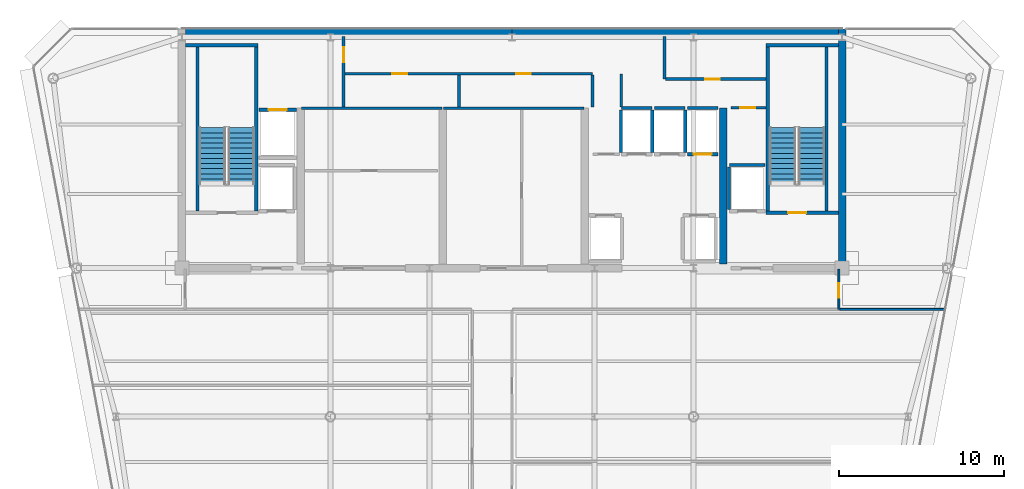
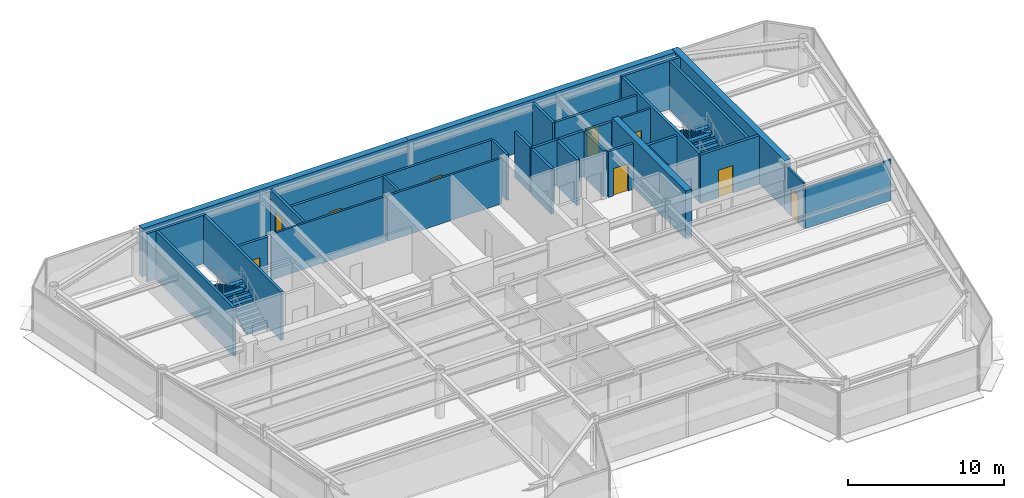
# One storey, part 12 of 19: 33 walls, 9 doors, 4 stair flights, 9 openings, 2 elements without a shape of their own.
"""IFC4 building model written with IfcOpenShell, lengths in metres."""

import ifcopenshell
import ifcopenshell.guid

model = None  # the IFC model being written
_history = None  # IfcOwnerHistory: only IFC2X3 demands one
_inside = {}  # id of a spatial element -> (the spatial element, [elements in it])
_under = {}  # id of a project, library or spatial element -> (it, [spatial elements below it])
_declared = {}  # id of a project -> (the project, [libraries it declares])
_typed = {}  # id of a type object -> (the type object, [elements of that type])
_made_of = {}  # id of a material, layer set ... -> (it, [elements and type objects made of it])


def new_model(schema):
    """Start an empty IFC model of exactly this schema.

    Asked for "IFC4X3", IfcOpenShell would pick the latest addendum, in which some entities
    have other attributes; the version numbers below select the first issue.
    IFC2X3 requires an IfcOwnerHistory on every rooted entity: one is made here for all.
    """
    global model, _history
    if schema == "IFC4X3":
        model = ifcopenshell.file(schema_version=(4, 3, 0, 0))
    else:
        model = ifcopenshell.file(schema=schema)
    _inside.clear()
    _under.clear()
    _declared.clear()
    _typed.clear()
    _made_of.clear()
    _history = None
    if model.schema == "IFC2X3":
        org = make("IfcOrganization", Name="unknown")
        user = make(
            "IfcPersonAndOrganization",
            ThePerson=make("IfcPerson", FamilyName="unknown"),
            TheOrganization=org,
        )
        app = make(
            "IfcApplication",
            ApplicationDeveloper=org,
            Version="unknown",
            ApplicationFullName="unknown",
            ApplicationIdentifier="unknown",
        )
        _history = make(
            "IfcOwnerHistory",
            OwningUser=user,
            OwningApplication=app,
            ChangeAction="ADDED",
            CreationDate=0,
        )
    return model


def make(cls, **values):
    """One entity of the class cls with the attributes given. An attribute that is None is left unset."""
    return model.create_entity(
        cls, **{name: value for name, value in values.items() if value is not None}
    )


def rooted(cls, **values):
    """An entity with a GlobalId (a new one), such as an element, a storey or a relation."""
    return make(cls, GlobalId=ifcopenshell.guid.new(), OwnerHistory=_history, **values)


def si_unit(unit_type, name, prefix=None):
    """IfcSIUnit, for example si_unit("LENGTHUNIT", "METRE", prefix="MILLI")."""
    return make("IfcSIUnit", UnitType=unit_type, Prefix=prefix, Name=name)


def assignment(units):
    """IfcUnitAssignment: the units of a project."""
    return None if units is None else make("IfcUnitAssignment", Units=units)


def point(xyz):
    """IfcCartesianPoint."""
    return None if xyz is None else make("IfcCartesianPoint", Coordinates=xyz)


def direction(xyz):
    """IfcDirection."""
    return None if xyz is None else make("IfcDirection", DirectionRatios=xyz)


def frame(location, z_axis=None, x_axis=None):
    """IfcAxis2Placement3D, a coordinate frame: its origin and axes. An axis left out is left unset."""
    return make(
        "IfcAxis2Placement3D",
        Location=point(location),
        Axis=direction(z_axis),
        RefDirection=direction(x_axis),
    )


def frame_2d(location, x_axis=None):
    """IfcAxis2Placement2D, a coordinate frame in the plane: its origin and x axis."""
    return make(
        "IfcAxis2Placement2D", Location=point(location), RefDirection=direction(x_axis)
    )


def origin():
    """The frame at (0, 0, 0) with its axes left unset."""
    return frame((0.0, 0.0, 0.0))


def place(relative_to, where):
    """IfcLocalPlacement: puts the frame where relative to a parent placement (None: the world)."""
    return make(
        "IfcLocalPlacement", PlacementRelTo=relative_to, RelativePlacement=where
    )


def context(
    kind, dimensions, precision=None, world=None, true_north=None, identifier=None
):
    """IfcGeometricRepresentationContext, for example the 3D "Model" context."""
    return make(
        "IfcGeometricRepresentationContext",
        ContextIdentifier=identifier,
        ContextType=kind,
        CoordinateSpaceDimension=dimensions,
        Precision=precision,
        WorldCoordinateSystem=world,
        TrueNorth=true_north,
    )


def subcontext(parent, identifier, kind, view, scale=None):
    """IfcGeometricRepresentationSubContext, for example "Body" below "Model"."""
    return make(
        "IfcGeometricRepresentationSubContext",
        ContextIdentifier=identifier,
        ContextType=kind,
        ParentContext=parent,
        TargetScale=scale,
        TargetView=view,
    )


def project(units=None, contexts=None):
    """IfcProject with its units and contexts."""
    return rooted(
        "IfcProject",
        Name="project",
        RepresentationContexts=contexts,
        UnitsInContext=assignment(units),
    )


def spatial(cls, under=None, at=None, **own):
    """A site, building, storey or space (cls), placed at a placement, below another one or the project."""
    s = rooted(cls, ObjectPlacement=at, **own)
    if under is not None:
        _under.setdefault(under.id(), (under, []))[1].append(s)
    return s


def polyline(points):
    """IfcPolyline through the points."""
    return make("IfcPolyline", Points=[point(p) for p in points])


def profile(cls, at=None, kind="AREA", **sizes):
    """A parametric profile (cls). Its sizes go by their IFC names, for example OverallWidth=200.0."""
    return make(cls, ProfileType=kind, Position=at, **sizes)


def rectangle(**sizes):
    """IfcRectangleProfileDef."""
    return profile("IfcRectangleProfileDef", **sizes)


def outline(outer, holes=None, kind="AREA"):
    """IfcArbitraryClosedProfileDef: a profile drawn as a closed curve; with holes, ...WithVoids."""
    if holes is None:
        return make("IfcArbitraryClosedProfileDef", ProfileType=kind, OuterCurve=outer)
    return make(
        "IfcArbitraryProfileDefWithVoids",
        ProfileType=kind,
        OuterCurve=outer,
        InnerCurves=holes,
    )


def extrude(swept, where, along, depth):
    """IfcExtrudedAreaSolid: the profile swept, set in the frame where, extruded along a direction by depth."""
    return make(
        "IfcExtrudedAreaSolid",
        SweptArea=swept,
        Position=where,
        ExtrudedDirection=direction(along),
        Depth=depth,
    )


def shape(context_of_items, identifier, shape_type, items):
    """IfcShapeRepresentation: the items that make up one representation, for example the "Body"."""
    return make(
        "IfcShapeRepresentation",
        ContextOfItems=context_of_items,
        RepresentationIdentifier=identifier,
        RepresentationType=shape_type,
        Items=items,
    )


def source(mapping_origin, context_of_items, identifier, shape_type, items):
    """IfcRepresentationMap: a shape defined once, which mapped items show again and again."""
    return make(
        "IfcRepresentationMap",
        MappingOrigin=mapping_origin,
        MappedRepresentation=shape(context_of_items, identifier, shape_type, items),
    )


def transform(
    local_origin,
    x_axis=None,
    y_axis=None,
    z_axis=None,
    scale=None,
    scale2=None,
    scale3=None,
    uniform=True,
):
    """IfcCartesianTransformationOperator3D, or its non-uniform kind. x_axis, y_axis, z_axis: its Axis1, 2, 3."""
    if uniform:
        return make(
            "IfcCartesianTransformationOperator3D",
            Axis1=direction(x_axis),
            Axis2=direction(y_axis),
            LocalOrigin=point(local_origin),
            Scale=scale,
            Axis3=direction(z_axis),
        )
    return make(
        "IfcCartesianTransformationOperator3DnonUniform",
        Axis1=direction(x_axis),
        Axis2=direction(y_axis),
        LocalOrigin=point(local_origin),
        Scale=scale,
        Axis3=direction(z_axis),
        Scale2=scale2,
        Scale3=scale3,
    )


def mapped(mapping_source, mapping_target):
    """IfcMappedItem: shows the shape of a source again, moved by a transform."""
    return make(
        "IfcMappedItem", MappingSource=mapping_source, MappingTarget=mapping_target
    )


def material(Name=None, Category=None):
    """IfcMaterial."""
    return make("IfcMaterial", Name=Name, Category=Category)


def layer(
    of_material, thickness, ventilated=None, Name=None, Category=None, Priority=None
):
    """IfcMaterialLayer: one layer of a wall or slab, of a material (None: an air gap)."""
    return make(
        "IfcMaterialLayer",
        Material=of_material,
        LayerThickness=thickness,
        IsVentilated=ventilated,
        Name=Name,
        Category=Category,
        Priority=Priority,
    )


def layer_set(layers, Name=None):
    """IfcMaterialLayerSet."""
    return make("IfcMaterialLayerSet", MaterialLayers=layers, LayerSetName=Name)


def made_of(thing, what):
    """Note that an element or type object is made of a material, layer set ...; save() writes the relation."""
    if what is not None:
        _made_of.setdefault(what.id(), (what, []))[1].append(thing)
    return thing


def type_object(cls, material=None, **own):
    """A type object (cls), such as IfcWallType, which elements share."""
    return made_of(rooted(cls, **own), material)


def element(
    cls,
    number,
    at=None,
    inside=None,
    cuts=None,
    type_object=None,
    material=None,
    context=None,
    identifier="Body",
    shape_type=None,
    held_by="IfcProductDefinitionShape",
    body=None,
    shapes=None,
    **own,
):
    """One element of the class cls, such as IfcWall. Its Tag is "e" and its number.

    at: its placement. inside: the storey or other place that contains it. cuts: it is an
    opening in that element (IfcRelVoidsElement). A single representation is given by context,
    identifier, shape_type and body (its items); several are given by shapes. held_by: the class
    of the entity that holds the representations. save() writes the other relations.
    """
    e = rooted(cls, Tag="e%d" % number, ObjectPlacement=at, **own)
    if body is not None:
        shapes = [shape(context, identifier, shape_type, body)]
    if shapes is not None:
        e.Representation = make(held_by, Representations=shapes)
    if inside is not None:
        _inside.setdefault(inside.id(), (inside, []))[1].append(e)
    if cuts is not None:
        rooted(
            "IfcRelVoidsElement", RelatingBuildingElement=cuts, RelatedOpeningElement=e
        )
    if type_object is not None:
        _typed.setdefault(type_object.id(), (type_object, []))[1].append(e)
    return made_of(e, material)


def fill(opening, filler):
    """IfcRelFillsElement: the door or window that sits in an opening."""
    return rooted(
        "IfcRelFillsElement",
        RelatingOpeningElement=opening,
        RelatedBuildingElement=filler,
    )


def aggregate(whole, parts):
    """IfcRelAggregates: a whole, such as a stair, and the parts it consists of."""
    return rooted("IfcRelAggregates", RelatingObject=whole, RelatedObjects=parts)


def save(model, path):
    """Write the relations noted so far, then the file.

    IfcRelAggregates (storeys below a building ...), IfcRelContainedInSpatialStructure (elements
    in a storey), IfcRelDefinesByType, IfcRelAssociatesMaterial and IfcRelDeclares: one each for
    every whole, place, type object, material and project.
    """
    for whole, parts in _under.values():
        aggregate(whole, parts)
    for where, things in _inside.values():
        rooted(
            "IfcRelContainedInSpatialStructure",
            RelatedElements=things,
            RelatingStructure=where,
        )
    for kind, things in _typed.values():
        rooted("IfcRelDefinesByType", RelatedObjects=things, RelatingType=kind)
    for what, things in _made_of.values():
        rooted("IfcRelAssociatesMaterial", RelatedObjects=things, RelatingMaterial=what)
    for by, libraries in _declared.values():
        rooted("IfcRelDeclares", RelatingContext=by, RelatedDefinitions=libraries)
    model.write(path)


model = new_model("IFC4")

# Units and contexts
model_context = context("Model", 3, precision=1e-05, world=origin(), true_north=direction((0.0, 1.0)))
body_context = subcontext(model_context, "Body", "Model", "MODEL_VIEW")
ifc_project = project(units=[si_unit("LENGTHUNIT", "METRE"), si_unit("AREAUNIT", "SQUARE_METRE"), si_unit("VOLUMEUNIT", "CUBIC_METRE"), si_unit("PLANEANGLEUNIT", "RADIAN"), si_unit("MASSUNIT", "GRAM", prefix="KILO")], contexts=[model_context])

# Site, building, storey
site_placement = place(None, origin())
site = spatial("IfcSite", under=ifc_project, at=site_placement, CompositionType="ELEMENT")
building_placement = place(site_placement, origin())
building = spatial("IfcBuilding", under=site, at=building_placement, Name="Vaeldorn Concourse Tower", CompositionType="ELEMENT")
storey_placement = place(building_placement, frame((0.0, 0.0, 276.39990234375)))
storey = spatial("IfcBuildingStorey", under=building, at=storey_placement, Name="L71", CompositionType="ELEMENT", Elevation=276.39990234375)

# Walls
ifc_material_1 = material(Name="Concrete C50/60", Category="concrete")
ifc_layer_1 = layer(ifc_material_1, 0.449951171875)
ifc_layer_set_1 = layer_set([ifc_layer_1], Name="Concrete C50/60")
wall_type_1 = type_object("IfcWallType", Name="WL-CORE-450", PredefinedType="SHEAR", material=ifc_layer_set_1)
for number, where, z_axis, x_axis, name in (
    (1, (14.22900390625, 50.77490234375, 0.0), (0.0, 0.0, 1.0), (1.0, 0.0, 0.0), "Rear Core Shear Wall L71 N1"),
    (2, (34.001953125, 50.77490234375, 0.0), (0.0, 0.0, 1.0), (1.0, 0.0, 0.0), "Rear Core Shear Wall L71 N2"),
):
    element("IfcWall", number, at=place(storey_placement, frame(where, z_axis=z_axis, x_axis=x_axis)), inside=storey, type_object=wall_type_1, Name=name, PredefinedType="SHEAR", context=body_context, shape_type="SweptSolid", body=[
        extrude(rectangle(XDim=19.76904296875, YDim=0.449951171875, at=frame_2d((9.884521484375, 0.0))), origin(), (0.0, 0.0, 1.0), 3.800048828125),
    ])
wall_1_placement = place(storey_placement, frame((54.0, 36.5, 0.0), z_axis=(0.0, 0.0, 1.0), x_axis=(0.0, 1.0, 0.0)))
element("IfcWall", 3, at=wall_1_placement, inside=storey, type_object=wall_type_1, Name="Rear Core Shear Wall L71 E1", PredefinedType="SHEAR", context=body_context, shape_type="SweptSolid", body=[
    extrude(rectangle(XDim=14.5, YDim=0.449951171875, at=frame_2d((7.25, 0.0))), origin(), (0.0, 0.0, 1.0), 3.800048828125),
])
wall_2_placement = place(storey_placement, frame((46.800048828125, 36.7451171875, 0.0), z_axis=(0.0, 0.0, 1.0), x_axis=(0.0, 1.0, 0.0)))
element("IfcWall", 4, at=wall_2_placement, inside=storey, type_object=wall_type_1, Name="Rear Core Shear Wall L71 M4", PredefinedType="SHEAR", context=body_context, shape_type="SweptSolid", body=[
    extrude(rectangle(XDim=9.454833984375, YDim=0.449951171875, at=frame_2d((4.7275390625, 0.0))), origin(), (0.0, 0.0, 1.0), 3.800048828125),
])

# Wall, opening, door
ifc_material_2 = material(Name="Gypsum Board Partition", Category="gypsum")
ifc_layer_2 = layer(ifc_material_2, 0.1201171875)
ifc_layer_set_2 = layer_set([ifc_layer_2], Name="Gypsum Board Partition")
wall_type_2 = type_object("IfcWallType", Name="WL-PART-120", PredefinedType="PARTITIONING", material=ifc_layer_set_2)
wall_3_placement = place(storey_placement, frame((53.800048828125, 34.0, 0.0), z_axis=(0.0, 0.0, 1.0), x_axis=(0.0, 1.0, 0.0)))
wall_3 = element("IfcWall", 5, at=wall_3_placement, inside=storey, type_object=wall_type_2, Name="Interior Wall PW-L71-C3E", PredefinedType="PARTITIONING", context=body_context, shape_type="SweptSolid", body=[
    extrude(rectangle(XDim=2.43994140625, YDim=0.1201171875, at=frame_2d((1.219970703125, 0.0))), origin(), (0.0, 0.0, 1.0), 3.580078125),
])
opening_1_placement = place(wall_3_placement, frame((0.699951171875, 0.0, 0.0)))
opening_1 = element("IfcOpeningElement", 6, at=opening_1_placement, cuts=wall_3, Name="Opening D-03", PredefinedType="OPENING", context=body_context, shape_type="SweptSolid", body=[
    extrude(rectangle(XDim=0.89990234375, YDim=2.14990234375, at=frame_2d((0.449951171875, 1.074951171875))), frame((0.0, 0.070068359375, 0.0), z_axis=(0.0, -1.0, 0.0), x_axis=(1.0, 0.0, 0.0)), (0.0, 0.0, 1.0), 0.14013671875),
])
ifc_material_3 = material(Name="Acoustic Bronze-Framed Glass Door", Category="glass")
door_type_1 = type_object("IfcDoorType", Name="DR-INT-900", OperationType="NOTDEFINED", PredefinedType="DOOR", material=ifc_material_3)
shared_shape_1 = source(origin(), body_context, "Body", "SweptSolid", [
    extrude(rectangle(XDim=0.89990234375, YDim=2.14990234375, at=frame_2d((0.449951171875, 1.074951171875))), frame((0.0, 0.02490234375, 0.0), z_axis=(0.0, -1.0, 0.0), x_axis=(1.0, 0.0, 0.0)), (0.0, 0.0, 1.0), 0.050048828125),
])
door_1_placement = place(opening_1_placement, origin())
door_1 = element("IfcDoor", 7, at=door_1_placement, inside=storey, type_object=door_type_1, Name="Interior Door DR-L71-Z3NE", OperationType="SINGLE_SWING_RIGHT", OverallHeight=2.14990234375, OverallWidth=0.89990234375, PredefinedType="DOOR", context=body_context, shape_type="MappedRepresentation", body=[
    mapped(shared_shape_1, transform((0.0, 0.0, 0.0), scale=1.0)),
])
fill(opening_1, door_1)

# Walls
wall_4_placement = place(storey_placement, frame((53.860107421875, 34.0, 0.0), z_axis=(0.0, 0.0, 1.0), x_axis=(1.0, 0.0, 0.0)))
element("IfcWall", 8, at=wall_4_placement, inside=storey, type_object=wall_type_2, Name="Interior Wall PW-L71-Z3NEB", PredefinedType="PARTITIONING", context=body_context, shape_type="SweptSolid", body=[
    extrude(rectangle(XDim=6.34423828125, YDim=0.1201171875, at=frame_2d((3.172119140625, 0.0))), origin(), (0.0, 0.0, 1.0), 3.210205078125),
])
ifc_layer_3 = layer(ifc_material_2, 0.14990234375)
ifc_layer_set_3 = layer_set([ifc_layer_3], Name="Gypsum Board Partition")
wall_type_3 = type_object("IfcWallType", Name="WL-PART-150", PredefinedType="PARTITIONING", material=ifc_layer_set_3)
for number, where, z_axis, x_axis, name in (
    (9, (21.25, 46.199951171875, 0.0), (0.0, 0.0, 1.0), (1.0, 0.0, 0.0), "Interior Wall CW-L71-R1N"),
    (10, (29.85009765625, 46.199951171875, 0.0), (0.0, 0.0, 1.0), (1.0, 0.0, 0.0), "Interior Wall CW-L71-R2N"),
):
    element("IfcWall", number, at=place(storey_placement, frame(where, z_axis=z_axis, x_axis=x_axis)), inside=storey, type_object=wall_type_3, Name=name, PredefinedType="PARTITIONING", context=body_context, shape_type="SweptSolid", body=[
        extrude(rectangle(XDim=8.5, YDim=0.14990234375, at=frame_2d((4.25, 0.0))), origin(), (0.0, 0.0, 1.0), 3.580078125),
    ])

# Wall, opening, door
wall_5_placement = place(storey_placement, frame((47.280029296875, 46.219970703125, 0.0), z_axis=(0.0, 0.0, 1.0), x_axis=(1.0, 0.0, 0.0)))
wall_5 = element("IfcWall", 11, at=wall_5_placement, inside=storey, type_object=wall_type_3, Name="Interior Wall CW-L71-CRSE-N", PredefinedType="PARTITIONING", context=body_context, shape_type="SweptSolid", body=[
    extrude(rectangle(XDim=2.099853515625, YDim=0.14990234375, at=frame_2d((1.0498046875, 0.0))), origin(), (0.0, 0.0, 1.0), 3.580078125),
])
opening_2_placement = place(wall_5_placement, frame((0.550048828125, 0.0, 0.0)))
opening_2 = element("IfcOpeningElement", 12, at=opening_2_placement, cuts=wall_5, Name="Opening D-02", PredefinedType="OPENING", context=body_context, shape_type="SweptSolid", body=[
    extrude(rectangle(XDim=0.89990234375, YDim=2.10009765625, at=frame_2d((0.449951171875, 1.050048828125))), frame((0.0, 0.0849609375, 0.0), z_axis=(0.0, -1.0, 0.0), x_axis=(1.0, 0.0, 0.0)), (0.0, 0.0, 1.0), 0.169921875),
])
ifc_material_4 = material(Name="Fire-Rated Timber Leaf", Category="wood")
door_type_2 = type_object("IfcDoorType", Name="DR-FD30-900", OperationType="NOTDEFINED", PredefinedType="DOOR", material=ifc_material_4)
shared_shape_2 = source(origin(), body_context, "Body", "SweptSolid", [
    extrude(rectangle(XDim=0.89990234375, YDim=2.10009765625, at=frame_2d((0.449951171875, 1.050048828125))), frame((0.0, 0.02490234375, 0.0), z_axis=(0.0, -1.0, 0.0), x_axis=(1.0, 0.0, 0.0)), (0.0, 0.0, 1.0), 0.050048828125),
])
door_2_placement = place(opening_2_placement, origin())
door_2 = element("IfcDoor", 13, at=door_2_placement, inside=storey, type_object=door_type_2, Name="Interior Door DR-L71-CRSE", OperationType="SINGLE_SWING_RIGHT", OverallHeight=2.10009765625, OverallWidth=0.89990234375, PredefinedType="DOOR", context=body_context, shape_type="MappedRepresentation", body=[
    mapped(shared_shape_2, transform((0.0, 0.0, 0.0), scale=1.0)),
])
fill(opening_2, door_2)

# Wall, openings, doors
ifc_layer_4 = layer(ifc_material_2, 0.179931640625)
ifc_layer_set_4 = layer_set([ifc_layer_4], Name="Gypsum Board Partition")
wall_type_4 = type_object("IfcWallType", Name="WL-PLUMB-180", PredefinedType="PLUMBINGWALL", material=ifc_layer_set_4)
wall_6_placement = place(storey_placement, frame((23.85009765625, 48.280029296875, 0.0), z_axis=(0.0, 0.0, 1.0), x_axis=(1.0, 0.0, 0.0)))
wall_6 = element("IfcWall", 14, at=wall_6_placement, inside=storey, type_object=wall_type_4, Name="Interior Wall CW-L71-NS2W", PredefinedType="PLUMBINGWALL", context=body_context, shape_type="SweptSolid", body=[
    extrude(rectangle(XDim=15.02978515625, YDim=0.179931640625, at=frame_2d((7.514892578125, 0.0))), origin(), (0.0, 0.0, 1.0), 3.580078125),
])
opening_3_placement = place(wall_6_placement, frame((2.89990234375, 0.0, 0.0)))
opening_3 = element("IfcOpeningElement", 15, at=opening_3_placement, cuts=wall_6, Name="Opening D-03", PredefinedType="OPENING", context=body_context, shape_type="SweptSolid", body=[
    extrude(rectangle(XDim=0.89990234375, YDim=2.14990234375, at=frame_2d((0.449951171875, 1.074951171875))), frame((0.0, 0.10009765625, 0.0), z_axis=(0.0, -1.0, 0.0), x_axis=(1.0, 0.0, 0.0)), (0.0, 0.0, 1.0), 0.199951171875),
])
opening_4_placement = place(wall_6_placement, frame((10.39990234375, 0.0, 0.0)))
opening_4 = element("IfcOpeningElement", 16, at=opening_4_placement, cuts=wall_6, Name="Opening D-03", PredefinedType="OPENING", context=body_context, shape_type="SweptSolid", body=[
    extrude(rectangle(XDim=0.89990234375, YDim=2.14990234375, at=frame_2d((0.449951171875, 1.074951171875))), frame((0.0, 0.10009765625, 0.0), z_axis=(0.0, -1.0, 0.0), x_axis=(1.0, 0.0, 0.0)), (0.0, 0.0, 1.0), 0.199951171875),
])
door_3_placement = place(opening_3_placement, origin())
door_3 = element("IfcDoor", 17, at=door_3_placement, inside=storey, type_object=door_type_1, Name="Interior Door DR-L71-CS2", OperationType="SINGLE_SWING_RIGHT", OverallHeight=2.14990234375, OverallWidth=0.89990234375, PredefinedType="DOOR", context=body_context, shape_type="MappedRepresentation", body=[
    mapped(shared_shape_1, transform((0.0, 0.0, 0.0), scale=1.0)),
])
fill(opening_3, door_3)
door_4_placement = place(opening_4_placement, origin())
door_4 = element("IfcDoor", 18, at=door_4_placement, inside=storey, type_object=door_type_1, Name="Interior Door DR-L71-CS3", OperationType="SINGLE_SWING_LEFT", OverallHeight=2.14990234375, OverallWidth=0.89990234375, PredefinedType="DOOR", context=body_context, shape_type="MappedRepresentation", body=[
    mapped(shared_shape_1, transform((0.0, 0.0, 0.0), scale=1.0)),
])
fill(opening_4, door_4)

# Wall, opening, door
wall_7_placement = place(storey_placement, frame((23.800048828125, 46.280029296875, 0.0), z_axis=(0.0, 0.0, 1.0), x_axis=(0.0, 1.0, 0.0)))
wall_7 = element("IfcWall", 19, at=wall_7_placement, inside=storey, type_object=wall_type_4, Name="Interior Wall CW-L71-SDIV1", PredefinedType="PLUMBINGWALL", context=body_context, shape_type="SweptSolid", body=[
    extrude(rectangle(XDim=4.25, YDim=0.179931640625, at=frame_2d((2.125, 0.0))), origin(), (0.0, 0.0, 1.0), 3.580078125),
])
opening_5_placement = place(wall_7_placement, frame((2.7099609375, 0.0, 0.0)))
opening_5 = element("IfcOpeningElement", 20, at=opening_5_placement, cuts=wall_7, Name="Opening D-03", PredefinedType="OPENING", context=body_context, shape_type="SweptSolid", body=[
    extrude(rectangle(XDim=0.89990234375, YDim=2.14990234375, at=frame_2d((0.449951171875, 1.074951171875))), frame((0.0, 0.10009765625, 0.0), z_axis=(0.0, -1.0, 0.0), x_axis=(1.0, 0.0, 0.0)), (0.0, 0.0, 1.0), 0.199951171875),
])
door_5_placement = place(opening_5_placement, origin())
door_5 = element("IfcDoor", 21, at=door_5_placement, inside=storey, type_object=door_type_1, Name="Interior Door DR-L71-CS1", OperationType="SINGLE_SWING_LEFT", OverallHeight=2.14990234375, OverallWidth=0.89990234375, PredefinedType="DOOR", context=body_context, shape_type="MappedRepresentation", body=[
    mapped(shared_shape_1, transform((0.0, 0.0, 0.0), scale=1.0)),
])
fill(opening_5, door_5)

# Walls
for number, where, z_axis, x_axis, name in (
    (22, (30.800048828125, 46.280029296875, 0.0), (0.0, 0.0, 1.0), (0.0, 1.0, 0.0), "Interior Wall CW-L71-SDIV2"),
    (23, (38.8798828125, 46.280029296875, 0.0), (0.0, 0.0, 1.0), (0.0, 1.0, 0.0), "Interior Wall CW-L71-SDIV4"),
):
    element("IfcWall", number, at=place(storey_placement, frame(where, z_axis=z_axis, x_axis=x_axis)), inside=storey, type_object=wall_type_4, Name=name, PredefinedType="PLUMBINGWALL", context=body_context, shape_type="SweptSolid", body=[
        extrude(rectangle(XDim=1.93994140625, YDim=0.179931640625, at=frame_2d((0.969970703125, 0.0))), origin(), (0.0, 0.0, 1.0), 3.580078125),
    ])
wall_8_placement = place(storey_placement, frame((40.6201171875, 46.280029296875, 0.0), z_axis=(0.0, 0.0, 1.0), x_axis=(0.0, 1.0, 0.0)))
element("IfcWall", 24, at=wall_8_placement, inside=storey, type_object=wall_type_4, Name="Interior Wall CW-L71-SDIV5", PredefinedType="PLUMBINGWALL", context=body_context, shape_type="SweptSolid", body=[
    extrude(rectangle(XDim=2.0, YDim=0.179931640625, at=frame_2d((1.0, 0.0))), origin(), (0.0, 0.0, 1.0), 3.580078125),
])
wall_9_placement = place(storey_placement, frame((43.25, 47.949951171875, 0.0), z_axis=(0.0, 0.0, 1.0), x_axis=(0.0, 1.0, 0.0)))
element("IfcWall", 25, at=wall_9_placement, inside=storey, type_object=wall_type_4, Name="Interior Wall CW-L71-SDIV6", PredefinedType="PLUMBINGWALL", context=body_context, shape_type="SweptSolid", body=[
    extrude(rectangle(XDim=2.580078125, YDim=0.179931640625, at=frame_2d((1.2900390625, 0.0))), origin(), (0.0, 0.0, 1.0), 3.580078125),
])

# Wall, opening, door
wall_10_placement = place(storey_placement, frame((43.300048828125, 47.949951171875, 0.0), z_axis=(0.0, 0.0, 1.0), x_axis=(1.0, 0.0, 0.0)))
wall_10 = element("IfcWall", 26, at=wall_10_placement, inside=storey, type_object=wall_type_4, Name="Interior Wall CW-L71-NS2EE", PredefinedType="PLUMBINGWALL", context=body_context, shape_type="SweptSolid", body=[
    extrude(rectangle(XDim=6.079833984375, YDim=0.179931640625, at=frame_2d((3.0400390625, 0.0))), origin(), (0.0, 0.0, 1.0), 3.580078125),
])
opening_6_placement = place(wall_10_placement, frame((2.39990234375, 0.0, 0.0)))
opening_6 = element("IfcOpeningElement", 27, at=opening_6_placement, cuts=wall_10, Name="Opening D-03", PredefinedType="OPENING", context=body_context, shape_type="SweptSolid", body=[
    extrude(rectangle(XDim=0.89990234375, YDim=2.14990234375, at=frame_2d((0.449951171875, 1.074951171875))), frame((0.0, 0.10009765625, 0.0), z_axis=(0.0, -1.0, 0.0), x_axis=(1.0, 0.0, 0.0)), (0.0, 0.0, 1.0), 0.199951171875),
])
door_6_placement = place(opening_6_placement, origin())
door_6 = element("IfcDoor", 28, at=door_6_placement, inside=storey, type_object=door_type_1, Name="Interior Door DR-L71-CS5", OperationType="SINGLE_SWING_RIGHT", OverallHeight=2.14990234375, OverallWidth=0.89990234375, PredefinedType="DOOR", context=body_context, shape_type="MappedRepresentation", body=[
    mapped(shared_shape_1, transform((0.0, 0.0, 0.0), scale=1.0)),
])
fill(opening_6, door_6)

# Walls
ifc_layer_5 = layer(ifc_material_1, 0.199951171875)
ifc_layer_set_5 = layer_set([ifc_layer_5], Name="Concrete C50/60")
wall_type_5 = type_object("IfcWallType", Name="WL-SHAFT-200", PredefinedType="SOLIDWALL", material=ifc_layer_set_5)
wall_11_placement = place(storey_placement, frame((14.22509765625, 50.0, 0.0), z_axis=(0.0, 0.0, 1.0), x_axis=(1.0, 0.0, 0.0)))
element("IfcWall", 29, at=wall_11_placement, inside=storey, type_object=wall_type_5, Name="Stair Shaft Wall CW-L71-ST-1-N", PredefinedType="SOLIDWALL", context=body_context, shape_type="SweptSolid", body=[
    extrude(rectangle(XDim=4.375, YDim=0.199951171875, at=frame_2d((2.1875, 0.0))), origin(), (0.0, 0.0, 1.0), 3.800048828125),
])
for number, where, z_axis, x_axis, name in (
    (30, (14.949951171875, 39.9599609375, 0.0), (0.0, 0.0, 1.0), (0.0, 1.0, 0.0), "Stair Shaft Wall CW-L71-ST-1-W"),
    (31, (18.5, 39.9599609375, 0.0), (0.0, 0.0, 1.0), (0.0, 1.0, 0.0), "Stair Shaft Wall CW-L71-ST-1-E"),
):
    element("IfcWall", number, at=place(storey_placement, frame(where, z_axis=z_axis, x_axis=x_axis)), inside=storey, type_object=wall_type_5, Name=name, PredefinedType="SOLIDWALL", context=body_context, shape_type="SweptSolid", body=[
        extrude(rectangle(XDim=9.929931640625, YDim=0.199951171875, at=frame_2d((4.96484375, 0.0))), origin(), (0.0, 0.0, 1.0), 3.800048828125),
    ])

# Wall, opening, door
wall_12_placement = place(storey_placement, frame((49.39990234375, 39.85009765625, 0.0), z_axis=(0.0, 0.0, 1.0), x_axis=(1.0, 0.0, 0.0)))
wall_12 = element("IfcWall", 32, at=wall_12_placement, inside=storey, type_object=wall_type_5, Name="Stair Shaft Wall CW-L71-ST-2-S", PredefinedType="SOLIDWALL", context=body_context, shape_type="SweptSolid", body=[
    extrude(rectangle(XDim=4.375, YDim=0.199951171875, at=frame_2d((2.1875, 0.0))), origin(), (0.0, 0.0, 1.0), 3.800048828125),
])
opening_7_placement = place(wall_12_placement, frame((1.324951171875, 0.0, 0.0)))
opening_7 = element("IfcOpeningElement", 33, at=opening_7_placement, cuts=wall_12, Name="Opening D-01", PredefinedType="OPENING", context=body_context, shape_type="SweptSolid", body=[
    extrude(rectangle(XDim=1.10009765625, YDim=2.14990234375, at=frame_2d((0.550048828125, 1.074951171875))), frame((0.0, 0.10986328125, 0.0), z_axis=(0.0, -1.0, 0.0), x_axis=(1.0, 0.0, 0.0)), (0.0, 0.0, 1.0), 0.219970703125),
])
ifc_material_5 = material(Name="Fire-Rated Timber and Steel Leaf", Category="steel")
door_type_3 = type_object("IfcDoorType", Name="DR-FD60-1100", OperationType="NOTDEFINED", PredefinedType="DOOR", material=ifc_material_5)
shared_shape_3 = source(origin(), body_context, "Body", "SweptSolid", [
    extrude(rectangle(XDim=1.10009765625, YDim=2.14990234375, at=frame_2d((0.550048828125, 1.074951171875))), frame((0.0, 0.02490234375, 0.0), z_axis=(0.0, -1.0, 0.0), x_axis=(1.0, 0.0, 0.0)), (0.0, 0.0, 1.0), 0.050048828125),
])
door_7_placement = place(opening_7_placement, origin())
door_7 = element("IfcDoor", 34, at=door_7_placement, inside=storey, type_object=door_type_3, Name="Interior Door DR-L71-ST-2", OperationType="SINGLE_SWING_RIGHT", OverallHeight=2.14990234375, OverallWidth=1.10009765625, PredefinedType="DOOR", context=body_context, shape_type="MappedRepresentation", body=[
    mapped(shared_shape_3, transform((0.0, 0.0, 0.0), scale=1.0)),
])
fill(opening_7, door_7)

# Walls
wall_13_placement = place(storey_placement, frame((49.39990234375, 50.0, 0.0), z_axis=(0.0, 0.0, 1.0), x_axis=(1.0, 0.0, 0.0)))
element("IfcWall", 35, at=wall_13_placement, inside=storey, type_object=wall_type_5, Name="Stair Shaft Wall CW-L71-ST-2-N", PredefinedType="SOLIDWALL", context=body_context, shape_type="SweptSolid", body=[
    extrude(rectangle(XDim=4.375, YDim=0.199951171875, at=frame_2d((2.1875, 0.0))), origin(), (0.0, 0.0, 1.0), 3.800048828125),
])
for number, where, z_axis, x_axis, name in (
    (36, (49.5, 39.9599609375, 0.0), (0.0, 0.0, 1.0), (0.0, 1.0, 0.0), "Stair Shaft Wall CW-L71-ST-2-W"),
    (37, (53.050048828125, 39.9599609375, 0.0), (0.0, 0.0, 1.0), (0.0, 1.0, 0.0), "Stair Shaft Wall CW-L71-ST-2-E"),
):
    element("IfcWall", number, at=place(storey_placement, frame(where, z_axis=z_axis, x_axis=x_axis)), inside=storey, type_object=wall_type_5, Name=name, PredefinedType="SOLIDWALL", context=body_context, shape_type="SweptSolid", body=[
        extrude(rectangle(XDim=9.929931640625, YDim=0.199951171875, at=frame_2d((4.96484375, 0.0))), origin(), (0.0, 0.0, 1.0), 3.800048828125),
    ])
wall_14_placement = place(storey_placement, frame((40.6201171875, 46.199951171875, 0.0), z_axis=(0.0, 0.0, 1.0), x_axis=(1.0, 0.0, 0.0)))
element("IfcWall", 38, at=wall_14_placement, inside=storey, type_object=wall_type_5, Name="Interior Wall CW-L71-LFB-LF-15", PredefinedType="SOLIDWALL", context=body_context, shape_type="SweptSolid", body=[
    extrude(rectangle(XDim=1.85986328125, YDim=0.199951171875, at=frame_2d((0.929931640625, 0.0))), origin(), (0.0, 0.0, 1.0), 3.580078125),
])
for number, where, z_axis, x_axis, name in (
    (39, (40.60009765625, 43.52001953125, 0.0), (0.0, 0.0, 1.0), (0.0, 1.0, 0.0), "Interior Wall CW-L71-LFW-LF-15"),
    (40, (42.5, 43.52001953125, 0.0), (0.0, 0.0, 1.0), (0.0, 1.0, 0.0), "Interior Wall CW-L71-LFE-LF-15"),
):
    element("IfcWall", number, at=place(storey_placement, frame(where, z_axis=z_axis, x_axis=x_axis)), inside=storey, type_object=wall_type_5, Name=name, PredefinedType="SOLIDWALL", context=body_context, shape_type="SweptSolid", body=[
        extrude(rectangle(XDim=2.56005859375, YDim=0.199951171875, at=frame_2d((1.280029296875, 0.0))), origin(), (0.0, 0.0, 1.0), 3.580078125),
    ])
wall_15_placement = place(storey_placement, frame((42.6201171875, 46.199951171875, 0.0), z_axis=(0.0, 0.0, 1.0), x_axis=(1.0, 0.0, 0.0)))
element("IfcWall", 41, at=wall_15_placement, inside=storey, type_object=wall_type_5, Name="Interior Wall CW-L71-LFB-LF-16", PredefinedType="SOLIDWALL", context=body_context, shape_type="SweptSolid", body=[
    extrude(rectangle(XDim=1.85986328125, YDim=0.199951171875, at=frame_2d((0.929931640625, 0.0))), origin(), (0.0, 0.0, 1.0), 3.580078125),
])
wall_16_placement = place(storey_placement, frame((44.5, 43.52001953125, 0.0), z_axis=(0.0, 0.0, 1.0), x_axis=(0.0, 1.0, 0.0)))
element("IfcWall", 42, at=wall_16_placement, inside=storey, type_object=wall_type_5, Name="Interior Wall CW-L71-LFE-LF-16", PredefinedType="SOLIDWALL", context=body_context, shape_type="SweptSolid", body=[
    extrude(rectangle(XDim=2.56005859375, YDim=0.199951171875, at=frame_2d((1.280029296875, 0.0))), origin(), (0.0, 0.0, 1.0), 3.580078125),
])

# Wall, opening, door
wall_17_placement = place(storey_placement, frame((44.6201171875, 43.39990234375, 0.0), z_axis=(0.0, 0.0, 1.0), x_axis=(1.0, 0.0, 0.0)))
wall_17 = element("IfcWall", 43, at=wall_17_placement, inside=storey, type_object=wall_type_5, Name="Interior Wall CW-L71-LF-LF-17", PredefinedType="SOLIDWALL", context=body_context, shape_type="SweptSolid", body=[
    extrude(rectangle(XDim=1.85986328125, YDim=0.199951171875, at=frame_2d((0.929931640625, 0.0))), origin(), (0.0, 0.0, 1.0), 3.580078125),
])
opening_8_placement = place(wall_17_placement, frame((0.3798828125, 0.0, 0.0)))
opening_8 = element("IfcOpeningElement", 44, at=opening_8_placement, cuts=wall_17, Name="Opening LD-1", PredefinedType="OPENING", context=body_context, shape_type="SweptSolid", body=[
    extrude(rectangle(XDim=1.10009765625, YDim=2.14990234375, at=frame_2d((0.550048828125, 1.074951171875))), frame((0.0, 0.10986328125, 0.0), z_axis=(0.0, -1.0, 0.0), x_axis=(1.0, 0.0, 0.0)), (0.0, 0.0, 1.0), 0.219970703125),
])
ifc_material_6 = material(Name="Anodised Bronze Aluminium", Category="aluminium")
door_type_4 = type_object("IfcDoorType", Name="DR-LIFT-SLIDE-1100", OperationType="DOUBLE_DOOR_SLIDING", PredefinedType="DOOR", material=ifc_material_6)
door_8_placement = place(opening_8_placement, origin())
door_8 = element("IfcDoor", 45, at=door_8_placement, inside=storey, type_object=door_type_4, Name="Lift Landing Door LD-L71-LF-17", OperationType="DOUBLE_DOOR_SLIDING", OverallHeight=2.14990234375, OverallWidth=1.10009765625, PredefinedType="DOOR", context=body_context, shape_type="MappedRepresentation", body=[
    mapped(shared_shape_3, transform((0.0, 0.0, 0.0), scale=1.0)),
])
fill(opening_8, door_8)

# Wall
wall_18_placement = place(storey_placement, frame((44.6201171875, 46.199951171875, 0.0), z_axis=(0.0, 0.0, 1.0), x_axis=(1.0, 0.0, 0.0)))
element("IfcWall", 46, at=wall_18_placement, inside=storey, type_object=wall_type_5, Name="Interior Wall CW-L71-LFB-LF-17", PredefinedType="SOLIDWALL", context=body_context, shape_type="SweptSolid", body=[
    extrude(rectangle(XDim=1.85986328125, YDim=0.199951171875, at=frame_2d((0.929931640625, 0.0))), origin(), (0.0, 0.0, 1.0), 3.580078125),
])

# Wall, opening, door
wall_19_placement = place(storey_placement, frame((18.669921875, 46.10009765625, 0.0), z_axis=(0.0, 0.0, 1.0), x_axis=(1.0, 0.0, 0.0)))
wall_19 = element("IfcWall", 47, at=wall_19_placement, inside=storey, type_object=wall_type_5, Name="Interior Wall CW-L71-LF-LF-SV1", PredefinedType="SOLIDWALL", context=body_context, shape_type="SweptSolid", body=[
    extrude(rectangle(XDim=2.260009765625, YDim=0.199951171875, at=frame_2d((1.1298828125, 0.0))), origin(), (0.0, 0.0, 1.0), 3.580078125),
])
opening_9_placement = place(wall_19_placement, frame((0.580078125, 0.0, 0.0)))
opening_9 = element("IfcOpeningElement", 48, at=opening_9_placement, cuts=wall_19, Name="Opening LD-1", PredefinedType="OPENING", context=body_context, shape_type="SweptSolid", body=[
    extrude(rectangle(XDim=1.10009765625, YDim=2.14990234375, at=frame_2d((0.550048828125, 1.074951171875))), frame((0.0, 0.10986328125, 0.0), z_axis=(0.0, -1.0, 0.0), x_axis=(1.0, 0.0, 0.0)), (0.0, 0.0, 1.0), 0.219970703125),
])
door_9_placement = place(opening_9_placement, origin())
door_9 = element("IfcDoor", 49, at=door_9_placement, inside=storey, type_object=door_type_4, Name="Lift Landing Door LD-L71-LF-SV1", OperationType="DOUBLE_DOOR_SLIDING", OverallHeight=2.14990234375, OverallWidth=1.10009765625, PredefinedType="DOOR", context=body_context, shape_type="MappedRepresentation", body=[
    mapped(shared_shape_3, transform((0.0, 0.0, 0.0), scale=1.0)),
])
fill(opening_9, door_9)

# Walls
wall_20_placement = place(storey_placement, frame((47.169921875, 42.75, 0.0), z_axis=(0.0, 0.0, 1.0), x_axis=(1.0, 0.0, 0.0)))
element("IfcWall", 50, at=wall_20_placement, inside=storey, type_object=wall_type_5, Name="Interior Wall CW-L71-LFB-LF-FF2", PredefinedType="SOLIDWALL", context=body_context, shape_type="SweptSolid", body=[
    extrude(rectangle(XDim=2.16015625, YDim=0.199951171875, at=frame_2d((1.080078125, 0.0))), origin(), (0.0, 0.0, 1.0), 3.580078125),
])
wall_21_placement = place(storey_placement, frame((47.14990234375, 40.070068359375, 0.0), z_axis=(0.0, 0.0, 1.0), x_axis=(0.0, 1.0, 0.0)))
element("IfcWall", 51, at=wall_21_placement, inside=storey, type_object=wall_type_5, Name="Interior Wall CW-L71-LFW-LF-FF2", PredefinedType="SOLIDWALL", context=body_context, shape_type="SweptSolid", body=[
    extrude(rectangle(XDim=2.559814453125, YDim=0.199951171875, at=frame_2d((1.27978515625, 0.0))), origin(), (0.0, 0.0, 1.0), 3.580078125),
])

# Stair, stair flights
ifc_material_7 = material(Name="Precast concrete C40/50", Category="concrete")
stair_type = type_object("IfcStairType", Name="STR-DOG-24x158", PredefinedType="HALF_TURN_STAIR", material=ifc_material_7)
stair_1_placement = place(storey_placement, origin())
stair_1 = element("IfcStair", 52, at=stair_1_placement, inside=storey, type_object=stair_type, Name="L71 West Core Exit Stair ST-1", PredefinedType="HALF_TURN_STAIR")
stair_flight_type = type_object("IfcStairFlightType", Name="STF-STR-12x158", PredefinedType="STRAIGHT", material=ifc_material_7)
stair_flight_1_placement = place(storey_placement, frame((17.60009765625, 41.60009765625, 0.0), z_axis=(0.0, 0.0, 1.0), x_axis=(0.0, 1.0, 0.0)))
stair_flight_1 = element("IfcStairFlight", 53, at=stair_flight_1_placement, type_object=stair_flight_type, Name="ST-1 flight 1", NumberOfRisers=12, NumberOfTreads=11, PredefinedType="STRAIGHT", RiserHeight=0.158333333, TreadLength=0.31, context=body_context, shape_type="SweptSolid", body=[
    extrude(outline(polyline([(0.0, 0.0), (0.0, 0.158447265625), (0.31005859375, 0.158447265625), (0.31005859375, 0.316650390625), (0.6201171875, 0.316650390625), (0.6201171875, 0.47509765625), (0.929931640625, 0.47509765625), (0.929931640625, 0.63330078125), (1.239990234375, 0.63330078125), (1.239990234375, 0.791748046875), (1.550048828125, 0.791748046875), (1.550048828125, 0.949951171875), (1.860107421875, 0.949951171875), (1.860107421875, 1.1083984375), (2.169921875, 1.1083984375), (2.169921875, 1.2666015625), (2.47998046875, 1.2666015625), (2.47998046875, 1.425048828125), (2.7900390625, 1.425048828125), (2.7900390625, 1.583251953125), (3.10009765625, 1.583251953125), (3.10009765625, 1.74169921875), (3.409912109375, 1.74169921875), (3.409912109375, 1.89990234375), (3.409912109375, 1.5732421875), (0.32958984375, 0.0), (0.0, 0.0)])), frame((0.0, 0.800048828125, 0.0), z_axis=(0.0, -1.0, 0.0), x_axis=(1.0, 0.0, 0.0)), (0.0, 0.0, 1.0), 1.60009765625),
])
stair_flight_2_placement = place(storey_placement, frame((15.85009765625, 45.010009765625, 1.900146484375), z_axis=(0.0, 0.0, 1.0), x_axis=(0.0, -1.0, 0.0)))
stair_flight_2 = element("IfcStairFlight", 54, at=stair_flight_2_placement, type_object=stair_flight_type, Name="ST-1 flight 2", NumberOfRisers=12, NumberOfTreads=11, PredefinedType="STRAIGHT", RiserHeight=0.158333333, TreadLength=0.31, context=body_context, shape_type="SweptSolid", body=[
    extrude(outline(polyline([(0.0, 0.0), (0.0, 0.158447265625), (0.31005859375, 0.158447265625), (0.31005859375, 0.316650390625), (0.6201171875, 0.316650390625), (0.6201171875, 0.47509765625), (0.929931640625, 0.47509765625), (0.929931640625, 0.63330078125), (1.239990234375, 0.63330078125), (1.239990234375, 0.791748046875), (1.550048828125, 0.791748046875), (1.550048828125, 0.949951171875), (1.860107421875, 0.949951171875), (1.860107421875, 1.1083984375), (2.169921875, 1.1083984375), (2.169921875, 1.2666015625), (2.47998046875, 1.2666015625), (2.47998046875, 1.425048828125), (2.7900390625, 1.425048828125), (2.7900390625, 1.583251953125), (3.10009765625, 1.583251953125), (3.10009765625, 1.74169921875), (3.409912109375, 1.74169921875), (3.409912109375, 1.89990234375), (3.409912109375, 1.5732421875), (0.32958984375, 0.0), (0.0, 0.0)])), frame((0.0, 0.800048828125, 0.0), z_axis=(0.0, -1.0, 0.0), x_axis=(1.0, 0.0, 0.0)), (0.0, 0.0, 1.0), 1.60009765625),
])
aggregate(stair_1, [stair_flight_1, stair_flight_2])

stair_2_placement = place(storey_placement, origin())
stair_2 = element("IfcStair", 55, at=stair_2_placement, inside=storey, type_object=stair_type, Name="L71 East Core Exit Stair ST-2", PredefinedType="HALF_TURN_STAIR")
stair_flight_3_placement = place(storey_placement, frame((52.14990234375, 41.60009765625, 0.0), z_axis=(0.0, 0.0, 1.0), x_axis=(0.0, 1.0, 0.0)))
stair_flight_3 = element("IfcStairFlight", 56, at=stair_flight_3_placement, type_object=stair_flight_type, Name="ST-2 flight 1", NumberOfRisers=12, NumberOfTreads=11, PredefinedType="STRAIGHT", RiserHeight=0.158333333, TreadLength=0.31, context=body_context, shape_type="SweptSolid", body=[
    extrude(outline(polyline([(0.0, 0.0), (0.0, 0.158447265625), (0.31005859375, 0.158447265625), (0.31005859375, 0.316650390625), (0.6201171875, 0.316650390625), (0.6201171875, 0.47509765625), (0.929931640625, 0.47509765625), (0.929931640625, 0.63330078125), (1.239990234375, 0.63330078125), (1.239990234375, 0.791748046875), (1.550048828125, 0.791748046875), (1.550048828125, 0.949951171875), (1.860107421875, 0.949951171875), (1.860107421875, 1.1083984375), (2.169921875, 1.1083984375), (2.169921875, 1.2666015625), (2.47998046875, 1.2666015625), (2.47998046875, 1.425048828125), (2.7900390625, 1.425048828125), (2.7900390625, 1.583251953125), (3.10009765625, 1.583251953125), (3.10009765625, 1.74169921875), (3.409912109375, 1.74169921875), (3.409912109375, 1.89990234375), (3.409912109375, 1.5732421875), (0.32958984375, 0.0), (0.0, 0.0)])), frame((0.0, 0.800048828125, 0.0), z_axis=(0.0, -1.0, 0.0), x_axis=(1.0, 0.0, 0.0)), (0.0, 0.0, 1.0), 1.60009765625),
])
stair_flight_4_placement = place(storey_placement, frame((50.39990234375, 45.010009765625, 1.900146484375), z_axis=(0.0, 0.0, 1.0), x_axis=(0.0, -1.0, 0.0)))
stair_flight_4 = element("IfcStairFlight", 57, at=stair_flight_4_placement, type_object=stair_flight_type, Name="ST-2 flight 2", NumberOfRisers=12, NumberOfTreads=11, PredefinedType="STRAIGHT", RiserHeight=0.158333333, TreadLength=0.31, context=body_context, shape_type="SweptSolid", body=[
    extrude(outline(polyline([(0.0, 0.0), (0.0, 0.158447265625), (0.31005859375, 0.158447265625), (0.31005859375, 0.316650390625), (0.6201171875, 0.316650390625), (0.6201171875, 0.47509765625), (0.929931640625, 0.47509765625), (0.929931640625, 0.63330078125), (1.239990234375, 0.63330078125), (1.239990234375, 0.791748046875), (1.550048828125, 0.791748046875), (1.550048828125, 0.949951171875), (1.860107421875, 0.949951171875), (1.860107421875, 1.1083984375), (2.169921875, 1.1083984375), (2.169921875, 1.2666015625), (2.47998046875, 1.2666015625), (2.47998046875, 1.425048828125), (2.7900390625, 1.425048828125), (2.7900390625, 1.583251953125), (3.10009765625, 1.583251953125), (3.10009765625, 1.74169921875), (3.409912109375, 1.74169921875), (3.409912109375, 1.89990234375), (3.409912109375, 1.5732421875), (0.32958984375, 0.0), (0.0, 0.0)])), frame((0.0, 0.800048828125, 0.0), z_axis=(0.0, -1.0, 0.0), x_axis=(1.0, 0.0, 0.0)), (0.0, 0.0, 1.0), 1.60009765625),
])
aggregate(stair_2, [stair_flight_3, stair_flight_4])

save(model, "model.ifc")
